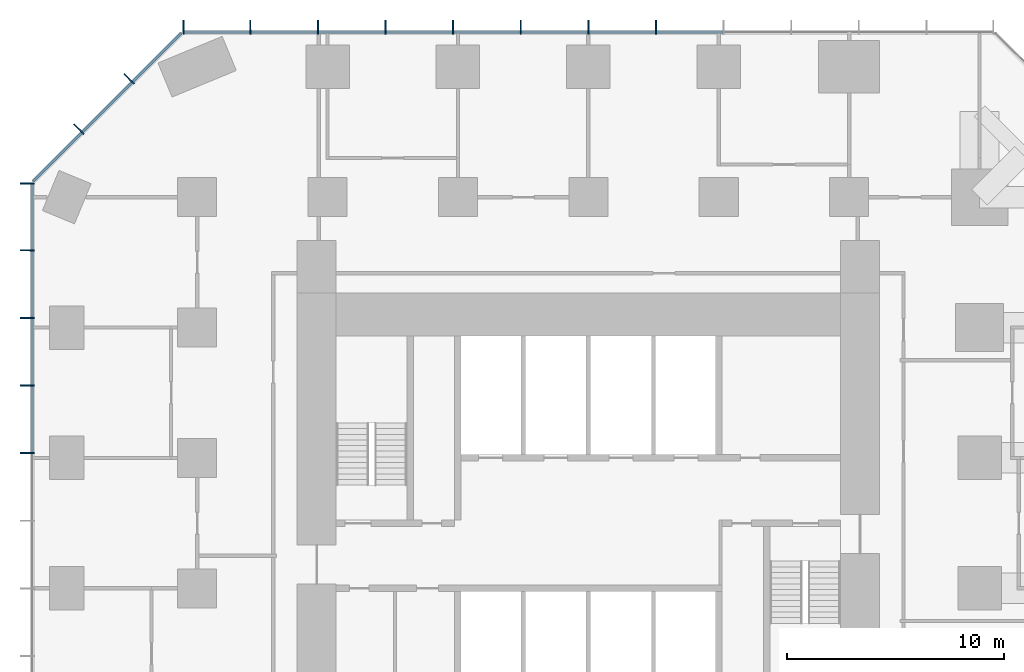
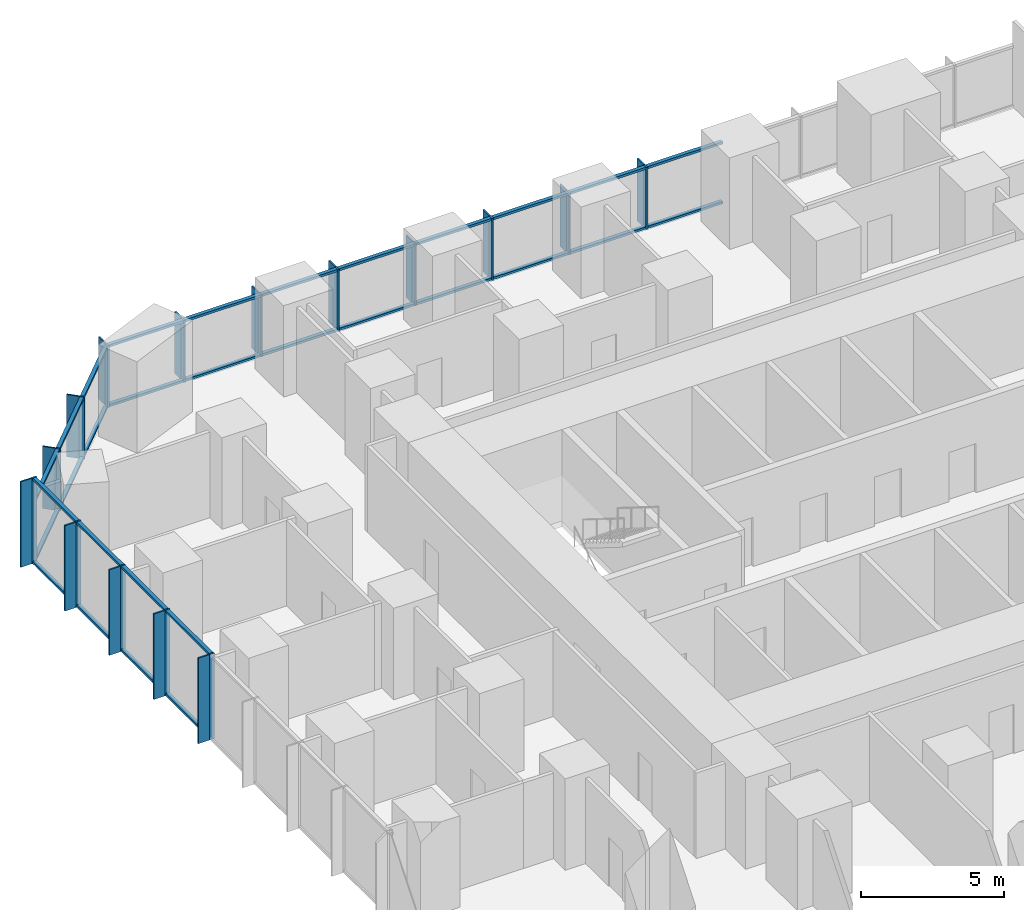
# One storey, part 6 of 13: 60 members, 3 elements without a shape of their own.
"""IFC4 building model written with IfcOpenShell, lengths in metres."""

from ifc_helpers import new_model, si_unit, direction, frame, origin, origin_2d, place, context, subcontext, project, spatial, rectangle, extrude, material, layer, layer_set, material_profile, profile_set, type_object, element, aggregate, save


model = new_model("IFC4")

# Units and contexts
model_context = context("Model", 3, precision=1e-05, world=origin(), true_north=direction((0.0, 1.0)))
body_context = subcontext(model_context, "Body", "Model", "MODEL_VIEW")
ifc_project = project(units=[si_unit("LENGTHUNIT", "METRE"), si_unit("AREAUNIT", "SQUARE_METRE"), si_unit("VOLUMEUNIT", "CUBIC_METRE"), si_unit("PLANEANGLEUNIT", "RADIAN"), si_unit("MASSUNIT", "GRAM", prefix="KILO")], contexts=[model_context])

# Site, building, storey
site_placement = place(None, origin())
site = spatial("IfcSite", under=ifc_project, at=site_placement, CompositionType="ELEMENT")
building_placement = place(site_placement, origin())
building = spatial("IfcBuilding", under=site, at=building_placement, Name="Highveld Stack Headquarters", CompositionType="ELEMENT")
storey_placement = place(building_placement, frame((0.0, 0.0, 61.10009765625)))
storey = spatial("IfcBuildingStorey", under=building, at=storey_placement, Name="L14", CompositionType="ELEMENT", Elevation=61.10009765625)

# Curtain wall, members
ifc_material_1 = material(Name="Aluminium bronze anodised", Category="aluminium")
ifc_layer_1 = layer(ifc_material_1, 0.199951171875)
ifc_layer_set_1 = layer_set([ifc_layer_1], Name="Aluminium bronze anodised")
curtain_wall_type_1 = type_object("IfcCurtainWallType", Name="CW1 TOWER UNITISED CURTAIN WALL", PredefinedType="NOTDEFINED", material=ifc_layer_set_1)
curtain_wall_1_placement = place(storey_placement, origin())
curtain_wall_1 = element("IfcCurtainWall", 1, at=curtain_wall_1_placement, inside=storey, type_object=curtain_wall_type_1, Name="Curtain wall CW1 L14 N", PredefinedType="NOTDEFINED")
ifc_material_2 = material(Name="Aluminium bronze anodised", Category="aluminium")
ifc_material_profile_1 = material_profile(ifc_material_2, rectangle(XDim=0.449951171875, YDim=0.06005859375, at=origin_2d()), Name="FIN 450x60")
ifc_profile_set_1 = profile_set([ifc_material_profile_1], Name="Aluminium bronze anodised")
member_type_1 = type_object("IfcMemberType", Name="CW1 BRONZE FIN 450x60", PredefinedType="USERDEFINED", material=ifc_profile_set_1)
member_1_placement = place(storey_placement, frame((9.110595703125, 25.925048828125, 0.0), z_axis=(0.0, 0.0, 1.0), x_axis=(0.0, -1.0, 0.0)))
member_1 = element("IfcMember", 2, at=member_1_placement, type_object=member_type_1, Name="CW1 fin L14 6", ObjectType="FIN", PredefinedType="USERDEFINED", context=body_context, shape_type="SweptSolid", body=[
    extrude(rectangle(XDim=0.449951171875, YDim=0.06005859375, at=origin_2d()), origin(), (0.0, 0.0, 1.0), 2.64990234375),
])
member_2_placement = place(storey_placement, frame((6.0, 25.925048828125, 0.0), z_axis=(0.0, 0.0, 1.0), x_axis=(0.0, -1.0, 0.0)))
member_2 = element("IfcMember", 3, at=member_2_placement, type_object=member_type_1, Name="CW1 fin L14 7", ObjectType="FIN", PredefinedType="USERDEFINED", context=body_context, shape_type="SweptSolid", body=[
    extrude(rectangle(XDim=0.449951171875, YDim=0.06005859375, at=origin_2d()), origin(), (0.0, 0.0, 1.0), 2.64990234375),
])
member_3_placement = place(storey_placement, frame((2.889404296875, 25.925048828125, 0.0), z_axis=(0.0, 0.0, 1.0), x_axis=(0.0, -1.0, 0.0)))
member_3 = element("IfcMember", 4, at=member_3_placement, type_object=member_type_1, Name="CW1 fin L14 8", ObjectType="FIN", PredefinedType="USERDEFINED", context=body_context, shape_type="SweptSolid", body=[
    extrude(rectangle(XDim=0.449951171875, YDim=0.06005859375, at=origin_2d()), origin(), (0.0, 0.0, 1.0), 2.64990234375),
])
member_4_placement = place(storey_placement, frame((-0.220947265625, 25.925048828125, 0.0), z_axis=(0.0, 0.0, 1.0), x_axis=(0.0, -1.0, 0.0)))
member_4 = element("IfcMember", 5, at=member_4_placement, type_object=member_type_1, Name="CW1 fin L14 9", ObjectType="FIN", PredefinedType="USERDEFINED", context=body_context, shape_type="SweptSolid", body=[
    extrude(rectangle(XDim=0.449951171875, YDim=0.06005859375, at=origin_2d()), origin(), (0.0, 0.0, 1.0), 2.64990234375),
])
member_5_placement = place(storey_placement, frame((-3.331298828125, 25.925048828125, 0.0), z_axis=(0.0, 0.0, 1.0), x_axis=(0.0, -1.0, 0.0)))
member_5 = element("IfcMember", 6, at=member_5_placement, type_object=member_type_1, Name="CW1 fin L14 10", ObjectType="FIN", PredefinedType="USERDEFINED", context=body_context, shape_type="SweptSolid", body=[
    extrude(rectangle(XDim=0.449951171875, YDim=0.06005859375, at=origin_2d()), origin(), (0.0, 0.0, 1.0), 2.64990234375),
])
member_6_placement = place(storey_placement, frame((-6.44189453125, 25.925048828125, 0.0), z_axis=(0.0, 0.0, 1.0), x_axis=(0.0, -1.0, 0.0)))
member_6 = element("IfcMember", 7, at=member_6_placement, type_object=member_type_1, Name="CW1 fin L14 11", ObjectType="FIN", PredefinedType="USERDEFINED", context=body_context, shape_type="SweptSolid", body=[
    extrude(rectangle(XDim=0.449951171875, YDim=0.06005859375, at=origin_2d()), origin(), (0.0, 0.0, 1.0), 2.64990234375),
])
member_7_placement = place(storey_placement, frame((-9.55224609375, 25.925048828125, 0.0), z_axis=(0.0, 0.0, 1.0), x_axis=(0.0, -1.0, 0.0)))
member_7 = element("IfcMember", 8, at=member_7_placement, type_object=member_type_1, Name="CW1 fin L14 12", ObjectType="FIN", PredefinedType="USERDEFINED", context=body_context, shape_type="SweptSolid", body=[
    extrude(rectangle(XDim=0.449951171875, YDim=0.06005859375, at=origin_2d()), origin(), (0.0, 0.0, 1.0), 2.64990234375),
])
member_8_placement = place(storey_placement, frame((-12.630126953125, 25.925048828125, 0.0), z_axis=(0.0, 0.0, 1.0), x_axis=(0.0, -1.0, 0.0)))
member_8 = element("IfcMember", 9, at=member_8_placement, type_object=member_type_1, Name="CW1 fin L14 13", ObjectType="FIN", PredefinedType="USERDEFINED", context=body_context, shape_type="SweptSolid", body=[
    extrude(rectangle(XDim=0.449951171875, YDim=0.06005859375, at=origin_2d()), origin(), (0.0, 0.0, 1.0), 2.64990234375),
])

curtain_wall_2_placement = place(storey_placement, origin())
curtain_wall_2 = element("IfcCurtainWall", 10, at=curtain_wall_2_placement, inside=storey, type_object=curtain_wall_type_1, Name="Curtain wall CW1 L14 W", PredefinedType="NOTDEFINED")
member_9_placement = place(storey_placement, frame((-19.925048828125, 18.630126953125, 0.0), z_axis=(0.0, 0.0, 1.0), x_axis=(1.0, 0.0, 0.0)))
member_9 = element("IfcMember", 11, at=member_9_placement, type_object=member_type_1, Name="CW1 fin L14 1", ObjectType="FIN", PredefinedType="USERDEFINED", context=body_context, shape_type="SweptSolid", body=[
    extrude(rectangle(XDim=0.449951171875, YDim=0.06005859375, at=origin_2d()), origin(), (0.0, 0.0, 1.0), 3.64990234375),
])
member_10_placement = place(storey_placement, frame((-19.925048828125, 15.55224609375, 0.0), z_axis=(0.0, 0.0, 1.0), x_axis=(1.0, 0.0, 0.0)))
member_10 = element("IfcMember", 12, at=member_10_placement, type_object=member_type_1, Name="CW1 fin L14 2", ObjectType="FIN", PredefinedType="USERDEFINED", context=body_context, shape_type="SweptSolid", body=[
    extrude(rectangle(XDim=0.449951171875, YDim=0.06005859375, at=origin_2d()), origin(), (0.0, 0.0, 1.0), 3.64990234375),
])
member_11_placement = place(storey_placement, frame((-19.925048828125, 12.44189453125, 0.0), z_axis=(0.0, 0.0, 1.0), x_axis=(1.0, 0.0, 0.0)))
member_11 = element("IfcMember", 13, at=member_11_placement, type_object=member_type_1, Name="CW1 fin L14 3", ObjectType="FIN", PredefinedType="USERDEFINED", context=body_context, shape_type="SweptSolid", body=[
    extrude(rectangle(XDim=0.449951171875, YDim=0.06005859375, at=origin_2d()), origin(), (0.0, 0.0, 1.0), 3.64990234375),
])
member_12_placement = place(storey_placement, frame((-19.925048828125, 9.331298828125, 0.0), z_axis=(0.0, 0.0, 1.0), x_axis=(1.0, 0.0, 0.0)))
member_12 = element("IfcMember", 14, at=member_12_placement, type_object=member_type_1, Name="CW1 fin L14 4", ObjectType="FIN", PredefinedType="USERDEFINED", context=body_context, shape_type="SweptSolid", body=[
    extrude(rectangle(XDim=0.449951171875, YDim=0.06005859375, at=origin_2d()), origin(), (0.0, 0.0, 1.0), 3.64990234375),
])
member_13_placement = place(storey_placement, frame((-19.925048828125, 6.220947265625, 0.0), z_axis=(0.0, 0.0, 1.0), x_axis=(1.0, 0.0, 0.0)))
member_13 = element("IfcMember", 15, at=member_13_placement, type_object=member_type_1, Name="CW1 fin L14 5", ObjectType="FIN", PredefinedType="USERDEFINED", context=body_context, shape_type="SweptSolid", body=[
    extrude(rectangle(XDim=0.449951171875, YDim=0.06005859375, at=origin_2d()), origin(), (0.0, 0.0, 1.0), 3.64990234375),
])

# Member
ifc_material_3 = material(Name="Aluminium bronze anodised", Category="aluminium")
ifc_material_profile_2 = material_profile(ifc_material_3, rectangle(XDim=0.199951171875, YDim=0.06494140625, at=origin_2d()), Name="CW1 MULLION 65x200")
ifc_profile_set_2 = profile_set([ifc_material_profile_2], Name="Aluminium bronze anodised")
member_type_2 = type_object("IfcMemberType", Name="CW1 MULLION 65x200", PredefinedType="MULLION", material=ifc_profile_set_2)
member_14_placement = place(storey_placement, frame((9.110595703125, 25.60009765625, 0.0), z_axis=(0.0, 0.0, 1.0), x_axis=(0.0, -1.0, 0.0)))
member_14 = element("IfcMember", 16, at=member_14_placement, type_object=member_type_2, Name="CW1 mullion L14 6", PredefinedType="MULLION", context=body_context, shape_type="SweptSolid", body=[
    extrude(rectangle(XDim=0.199951171875, YDim=0.06494140625, at=origin_2d()), origin(), (0.0, 0.0, 1.0), 2.64990234375),
])

member_15_placement = place(storey_placement, frame((6.0, 25.60009765625, 0.0), z_axis=(0.0, 0.0, 1.0), x_axis=(0.0, -1.0, 0.0)))
member_15 = element("IfcMember", 17, at=member_15_placement, type_object=member_type_2, Name="CW1 mullion L14 7", PredefinedType="MULLION", context=body_context, shape_type="SweptSolid", body=[
    extrude(rectangle(XDim=0.199951171875, YDim=0.06494140625, at=origin_2d()), origin(), (0.0, 0.0, 1.0), 2.64990234375),
])

member_16_placement = place(storey_placement, frame((2.889404296875, 25.60009765625, 0.0), z_axis=(0.0, 0.0, 1.0), x_axis=(0.0, -1.0, 0.0)))
member_16 = element("IfcMember", 18, at=member_16_placement, type_object=member_type_2, Name="CW1 mullion L14 8", PredefinedType="MULLION", context=body_context, shape_type="SweptSolid", body=[
    extrude(rectangle(XDim=0.199951171875, YDim=0.06494140625, at=origin_2d()), origin(), (0.0, 0.0, 1.0), 2.64990234375),
])

member_17_placement = place(storey_placement, frame((-0.220947265625, 25.60009765625, 0.0), z_axis=(0.0, 0.0, 1.0), x_axis=(0.0, -1.0, 0.0)))
member_17 = element("IfcMember", 19, at=member_17_placement, type_object=member_type_2, Name="CW1 mullion L14 9", PredefinedType="MULLION", context=body_context, shape_type="SweptSolid", body=[
    extrude(rectangle(XDim=0.199951171875, YDim=0.06494140625, at=origin_2d()), origin(), (0.0, 0.0, 1.0), 2.64990234375),
])

member_18_placement = place(storey_placement, frame((-3.331298828125, 25.60009765625, 0.0), z_axis=(0.0, 0.0, 1.0), x_axis=(0.0, -1.0, 0.0)))
member_18 = element("IfcMember", 20, at=member_18_placement, type_object=member_type_2, Name="CW1 mullion L14 10", PredefinedType="MULLION", context=body_context, shape_type="SweptSolid", body=[
    extrude(rectangle(XDim=0.199951171875, YDim=0.06494140625, at=origin_2d()), origin(), (0.0, 0.0, 1.0), 2.64990234375),
])

member_19_placement = place(storey_placement, frame((-6.44189453125, 25.60009765625, 0.0), z_axis=(0.0, 0.0, 1.0), x_axis=(0.0, -1.0, 0.0)))
member_19 = element("IfcMember", 21, at=member_19_placement, type_object=member_type_2, Name="CW1 mullion L14 11", PredefinedType="MULLION", context=body_context, shape_type="SweptSolid", body=[
    extrude(rectangle(XDim=0.199951171875, YDim=0.06494140625, at=origin_2d()), origin(), (0.0, 0.0, 1.0), 2.64990234375),
])

member_20_placement = place(storey_placement, frame((-9.55224609375, 25.60009765625, 0.0), z_axis=(0.0, 0.0, 1.0), x_axis=(0.0, -1.0, 0.0)))
member_20 = element("IfcMember", 22, at=member_20_placement, type_object=member_type_2, Name="CW1 mullion L14 12", PredefinedType="MULLION", context=body_context, shape_type="SweptSolid", body=[
    extrude(rectangle(XDim=0.199951171875, YDim=0.06494140625, at=origin_2d()), origin(), (0.0, 0.0, 1.0), 2.64990234375),
])

member_21_placement = place(storey_placement, frame((-12.630126953125, 25.60009765625, 0.0), z_axis=(0.0, 0.0, 1.0), x_axis=(0.0, -1.0, 0.0)))
member_21 = element("IfcMember", 23, at=member_21_placement, type_object=member_type_2, Name="CW1 mullion L14 13", PredefinedType="MULLION", context=body_context, shape_type="SweptSolid", body=[
    extrude(rectangle(XDim=0.199951171875, YDim=0.06494140625, at=origin_2d()), origin(), (0.0, 0.0, 1.0), 2.64990234375),
])

member_22_placement = place(storey_placement, frame((-19.60009765625, 18.630126953125, 0.0), z_axis=(0.0, 0.0, 1.0), x_axis=(1.0, 0.0, 0.0)))
member_22 = element("IfcMember", 24, at=member_22_placement, type_object=member_type_2, Name="CW1 mullion L14 1", PredefinedType="MULLION", context=body_context, shape_type="SweptSolid", body=[
    extrude(rectangle(XDim=0.199951171875, YDim=0.06494140625, at=origin_2d()), origin(), (0.0, 0.0, 1.0), 3.64990234375),
])

member_23_placement = place(storey_placement, frame((-19.60009765625, 15.55224609375, 0.0), z_axis=(0.0, 0.0, 1.0), x_axis=(1.0, 0.0, 0.0)))
member_23 = element("IfcMember", 25, at=member_23_placement, type_object=member_type_2, Name="CW1 mullion L14 2", PredefinedType="MULLION", context=body_context, shape_type="SweptSolid", body=[
    extrude(rectangle(XDim=0.199951171875, YDim=0.06494140625, at=origin_2d()), origin(), (0.0, 0.0, 1.0), 3.64990234375),
])

member_24_placement = place(storey_placement, frame((-19.60009765625, 12.44189453125, 0.0), z_axis=(0.0, 0.0, 1.0), x_axis=(1.0, 0.0, 0.0)))
member_24 = element("IfcMember", 26, at=member_24_placement, type_object=member_type_2, Name="CW1 mullion L14 3", PredefinedType="MULLION", context=body_context, shape_type="SweptSolid", body=[
    extrude(rectangle(XDim=0.199951171875, YDim=0.06494140625, at=origin_2d()), origin(), (0.0, 0.0, 1.0), 3.64990234375),
])

member_25_placement = place(storey_placement, frame((-19.60009765625, 9.331298828125, 0.0), z_axis=(0.0, 0.0, 1.0), x_axis=(1.0, 0.0, 0.0)))
member_25 = element("IfcMember", 27, at=member_25_placement, type_object=member_type_2, Name="CW1 mullion L14 4", PredefinedType="MULLION", context=body_context, shape_type="SweptSolid", body=[
    extrude(rectangle(XDim=0.199951171875, YDim=0.06494140625, at=origin_2d()), origin(), (0.0, 0.0, 1.0), 3.64990234375),
])

member_26_placement = place(storey_placement, frame((-19.60009765625, 6.220947265625, 0.0), z_axis=(0.0, 0.0, 1.0), x_axis=(1.0, 0.0, 0.0)))
member_26 = element("IfcMember", 28, at=member_26_placement, type_object=member_type_2, Name="CW1 mullion L14 5", PredefinedType="MULLION", context=body_context, shape_type="SweptSolid", body=[
    extrude(rectangle(XDim=0.199951171875, YDim=0.06494140625, at=origin_2d()), origin(), (0.0, 0.0, 1.0), 3.64990234375),
])

ifc_material_4 = material(Name="Aluminium bronze anodised", Category="aluminium")
ifc_material_profile_3 = material_profile(ifc_material_4, rectangle(XDim=0.14990234375, YDim=0.10009765625, at=origin_2d()), Name="CW1 TRANSOM 150x100")
ifc_profile_set_3 = profile_set([ifc_material_profile_3], Name="Aluminium bronze anodised")
member_type_3 = type_object("IfcMemberType", Name="CW1 STACK TRANSOM 150x100", PredefinedType="USERDEFINED", material=ifc_profile_set_3)
member_27_placement = place(storey_placement, frame((12.1884765625, 25.60009765625, 0.0498046875), z_axis=(-1.0, 0.0, 0.0), x_axis=(0.0, -1.0, 0.0)))
member_27 = element("IfcMember", 29, at=member_27_placement, type_object=member_type_3, Name="CW1 transom L14 5.1", ObjectType="TRANSOM", PredefinedType="USERDEFINED", context=body_context, shape_type="SweptSolid", body=[
    extrude(rectangle(XDim=0.14990234375, YDim=0.10009765625, at=origin_2d()), origin(), (0.0, 0.0, 1.0), 3.04541015625),
])

member_28_placement = place(storey_placement, frame((12.1884765625, 25.60009765625, 2.599853515625), z_axis=(-1.0, 0.0, 0.0), x_axis=(0.0, -1.0, 0.0)))
member_28 = element("IfcMember", 30, at=member_28_placement, type_object=member_type_3, Name="CW1 transom L14 5.2", ObjectType="TRANSOM", PredefinedType="USERDEFINED", context=body_context, shape_type="SweptSolid", body=[
    extrude(rectangle(XDim=0.14990234375, YDim=0.10009765625, at=origin_2d()), origin(), (0.0, 0.0, 1.0), 3.04541015625),
])

member_29_placement = place(storey_placement, frame((9.077880859375, 25.60009765625, 0.0498046875), z_axis=(-1.0, 0.0, 0.0), x_axis=(0.0, -1.0, 0.0)))
member_29 = element("IfcMember", 31, at=member_29_placement, type_object=member_type_3, Name="CW1 transom L14 6.1", ObjectType="TRANSOM", PredefinedType="USERDEFINED", context=body_context, shape_type="SweptSolid", body=[
    extrude(rectangle(XDim=0.14990234375, YDim=0.10009765625, at=origin_2d()), origin(), (0.0, 0.0, 1.0), 3.04541015625),
])

member_30_placement = place(storey_placement, frame((9.077880859375, 25.60009765625, 2.599853515625), z_axis=(-1.0, 0.0, 0.0), x_axis=(0.0, -1.0, 0.0)))
member_30 = element("IfcMember", 32, at=member_30_placement, type_object=member_type_3, Name="CW1 transom L14 6.2", ObjectType="TRANSOM", PredefinedType="USERDEFINED", context=body_context, shape_type="SweptSolid", body=[
    extrude(rectangle(XDim=0.14990234375, YDim=0.10009765625, at=origin_2d()), origin(), (0.0, 0.0, 1.0), 3.04541015625),
])

member_31_placement = place(storey_placement, frame((5.967529296875, 25.60009765625, 0.0498046875), z_axis=(-1.0, 0.0, 0.0), x_axis=(0.0, -1.0, 0.0)))
member_31 = element("IfcMember", 33, at=member_31_placement, type_object=member_type_3, Name="CW1 transom L14 7.1", ObjectType="TRANSOM", PredefinedType="USERDEFINED", context=body_context, shape_type="SweptSolid", body=[
    extrude(rectangle(XDim=0.14990234375, YDim=0.10009765625, at=origin_2d()), origin(), (0.0, 0.0, 1.0), 3.04541015625),
])

member_32_placement = place(storey_placement, frame((5.967529296875, 25.60009765625, 2.599853515625), z_axis=(-1.0, 0.0, 0.0), x_axis=(0.0, -1.0, 0.0)))
member_32 = element("IfcMember", 34, at=member_32_placement, type_object=member_type_3, Name="CW1 transom L14 7.2", ObjectType="TRANSOM", PredefinedType="USERDEFINED", context=body_context, shape_type="SweptSolid", body=[
    extrude(rectangle(XDim=0.14990234375, YDim=0.10009765625, at=origin_2d()), origin(), (0.0, 0.0, 1.0), 3.04541015625),
])

member_33_placement = place(storey_placement, frame((2.857177734375, 25.60009765625, 0.0498046875), z_axis=(-1.0, 0.0, 0.0), x_axis=(0.0, -1.0, 0.0)))
member_33 = element("IfcMember", 35, at=member_33_placement, type_object=member_type_3, Name="CW1 transom L14 8.1", ObjectType="TRANSOM", PredefinedType="USERDEFINED", context=body_context, shape_type="SweptSolid", body=[
    extrude(rectangle(XDim=0.14990234375, YDim=0.10009765625, at=origin_2d()), origin(), (0.0, 0.0, 1.0), 3.045654296875),
])

member_34_placement = place(storey_placement, frame((2.857177734375, 25.60009765625, 2.599853515625), z_axis=(-1.0, 0.0, 0.0), x_axis=(0.0, -1.0, 0.0)))
member_34 = element("IfcMember", 36, at=member_34_placement, type_object=member_type_3, Name="CW1 transom L14 8.2", ObjectType="TRANSOM", PredefinedType="USERDEFINED", context=body_context, shape_type="SweptSolid", body=[
    extrude(rectangle(XDim=0.14990234375, YDim=0.10009765625, at=origin_2d()), origin(), (0.0, 0.0, 1.0), 3.045654296875),
])

member_35_placement = place(storey_placement, frame((-0.25341796875, 25.60009765625, 0.0498046875), z_axis=(-1.0, 0.0, 0.0), x_axis=(0.0, -1.0, 0.0)))
member_35 = element("IfcMember", 37, at=member_35_placement, type_object=member_type_3, Name="CW1 transom L14 9.1", ObjectType="TRANSOM", PredefinedType="USERDEFINED", context=body_context, shape_type="SweptSolid", body=[
    extrude(rectangle(XDim=0.14990234375, YDim=0.10009765625, at=origin_2d()), origin(), (0.0, 0.0, 1.0), 3.04541015625),
])

member_36_placement = place(storey_placement, frame((-0.25341796875, 25.60009765625, 2.599853515625), z_axis=(-1.0, 0.0, 0.0), x_axis=(0.0, -1.0, 0.0)))
member_36 = element("IfcMember", 38, at=member_36_placement, type_object=member_type_3, Name="CW1 transom L14 9.2", ObjectType="TRANSOM", PredefinedType="USERDEFINED", context=body_context, shape_type="SweptSolid", body=[
    extrude(rectangle(XDim=0.14990234375, YDim=0.10009765625, at=origin_2d()), origin(), (0.0, 0.0, 1.0), 3.04541015625),
])

member_37_placement = place(storey_placement, frame((-3.36376953125, 25.60009765625, 0.0498046875), z_axis=(-1.0, 0.0, 0.0), x_axis=(0.0, -1.0, 0.0)))
member_37 = element("IfcMember", 39, at=member_37_placement, type_object=member_type_3, Name="CW1 transom L14 10.1", ObjectType="TRANSOM", PredefinedType="USERDEFINED", context=body_context, shape_type="SweptSolid", body=[
    extrude(rectangle(XDim=0.14990234375, YDim=0.10009765625, at=origin_2d()), origin(), (0.0, 0.0, 1.0), 3.04541015625),
])

member_38_placement = place(storey_placement, frame((-3.36376953125, 25.60009765625, 2.599853515625), z_axis=(-1.0, 0.0, 0.0), x_axis=(0.0, -1.0, 0.0)))
member_38 = element("IfcMember", 40, at=member_38_placement, type_object=member_type_3, Name="CW1 transom L14 10.2", ObjectType="TRANSOM", PredefinedType="USERDEFINED", context=body_context, shape_type="SweptSolid", body=[
    extrude(rectangle(XDim=0.14990234375, YDim=0.10009765625, at=origin_2d()), origin(), (0.0, 0.0, 1.0), 3.04541015625),
])

member_39_placement = place(storey_placement, frame((-6.474365234375, 25.60009765625, 0.0498046875), z_axis=(-1.0, 0.0, 0.0), x_axis=(0.0, -1.0, 0.0)))
member_39 = element("IfcMember", 41, at=member_39_placement, type_object=member_type_3, Name="CW1 transom L14 11.1", ObjectType="TRANSOM", PredefinedType="USERDEFINED", context=body_context, shape_type="SweptSolid", body=[
    extrude(rectangle(XDim=0.14990234375, YDim=0.10009765625, at=origin_2d()), origin(), (0.0, 0.0, 1.0), 3.04541015625),
])

member_40_placement = place(storey_placement, frame((-6.474365234375, 25.60009765625, 2.599853515625), z_axis=(-1.0, 0.0, 0.0), x_axis=(0.0, -1.0, 0.0)))
member_40 = element("IfcMember", 42, at=member_40_placement, type_object=member_type_3, Name="CW1 transom L14 11.2", ObjectType="TRANSOM", PredefinedType="USERDEFINED", context=body_context, shape_type="SweptSolid", body=[
    extrude(rectangle(XDim=0.14990234375, YDim=0.10009765625, at=origin_2d()), origin(), (0.0, 0.0, 1.0), 3.04541015625),
])

member_41_placement = place(storey_placement, frame((-9.584716796875, 25.60009765625, 0.0498046875), z_axis=(-1.0, 0.0, 0.0), x_axis=(0.0, -1.0, 0.0)))
member_41 = element("IfcMember", 43, at=member_41_placement, type_object=member_type_3, Name="CW1 transom L14 12.1", ObjectType="TRANSOM", PredefinedType="USERDEFINED", context=body_context, shape_type="SweptSolid", body=[
    extrude(rectangle(XDim=0.14990234375, YDim=0.10009765625, at=origin_2d()), origin(), (0.0, 0.0, 1.0), 3.012939453125),
])

member_42_placement = place(storey_placement, frame((-9.584716796875, 25.60009765625, 2.599853515625), z_axis=(-1.0, 0.0, 0.0), x_axis=(0.0, -1.0, 0.0)))
member_42 = element("IfcMember", 44, at=member_42_placement, type_object=member_type_3, Name="CW1 transom L14 12.2", ObjectType="TRANSOM", PredefinedType="USERDEFINED", context=body_context, shape_type="SweptSolid", body=[
    extrude(rectangle(XDim=0.14990234375, YDim=0.10009765625, at=origin_2d()), origin(), (0.0, 0.0, 1.0), 3.012939453125),
])

aggregate(curtain_wall_1, [member_14, member_1, member_15, member_2, member_16, member_3, member_17, member_4, member_18, member_5, member_19, member_6, member_20, member_7, member_21, member_8, member_27, member_28, member_29, member_30, member_31, member_32, member_33, member_34, member_35, member_36, member_37, member_38, member_39, member_40, member_41, member_42])

member_43_placement = place(storey_placement, frame((-19.60009765625, 18.59765625, 0.0498046875), z_axis=(0.0, -1.0, 0.0), x_axis=(1.0, 0.0, 0.0)))
member_43 = element("IfcMember", 45, at=member_43_placement, type_object=member_type_3, Name="CW1 transom L14 1.1", ObjectType="TRANSOM", PredefinedType="USERDEFINED", context=body_context, shape_type="SweptSolid", body=[
    extrude(rectangle(XDim=0.14990234375, YDim=0.10009765625, at=origin_2d()), origin(), (0.0, 0.0, 1.0), 3.012939453125),
])

member_44_placement = place(storey_placement, frame((-19.60009765625, 18.59765625, 3.599853515625), z_axis=(0.0, -1.0, 0.0), x_axis=(1.0, 0.0, 0.0)))
member_44 = element("IfcMember", 46, at=member_44_placement, type_object=member_type_3, Name="CW1 transom L14 1.2", ObjectType="TRANSOM", PredefinedType="USERDEFINED", context=body_context, shape_type="SweptSolid", body=[
    extrude(rectangle(XDim=0.14990234375, YDim=0.10009765625, at=origin_2d()), origin(), (0.0, 0.0, 1.0), 3.012939453125),
])

member_45_placement = place(storey_placement, frame((-19.60009765625, 15.519775390625, 0.0498046875), z_axis=(0.0, -1.0, 0.0), x_axis=(1.0, 0.0, 0.0)))
member_45 = element("IfcMember", 47, at=member_45_placement, type_object=member_type_3, Name="CW1 transom L14 2.1", ObjectType="TRANSOM", PredefinedType="USERDEFINED", context=body_context, shape_type="SweptSolid", body=[
    extrude(rectangle(XDim=0.14990234375, YDim=0.10009765625, at=origin_2d()), origin(), (0.0, 0.0, 1.0), 3.04541015625),
])

member_46_placement = place(storey_placement, frame((-19.60009765625, 15.519775390625, 3.599853515625), z_axis=(0.0, -1.0, 0.0), x_axis=(1.0, 0.0, 0.0)))
member_46 = element("IfcMember", 48, at=member_46_placement, type_object=member_type_3, Name="CW1 transom L14 2.2", ObjectType="TRANSOM", PredefinedType="USERDEFINED", context=body_context, shape_type="SweptSolid", body=[
    extrude(rectangle(XDim=0.14990234375, YDim=0.10009765625, at=origin_2d()), origin(), (0.0, 0.0, 1.0), 3.04541015625),
])

member_47_placement = place(storey_placement, frame((-19.60009765625, 12.4091796875, 0.0498046875), z_axis=(0.0, -1.0, 0.0), x_axis=(1.0, 0.0, 0.0)))
member_47 = element("IfcMember", 49, at=member_47_placement, type_object=member_type_3, Name="CW1 transom L14 3.1", ObjectType="TRANSOM", PredefinedType="USERDEFINED", context=body_context, shape_type="SweptSolid", body=[
    extrude(rectangle(XDim=0.14990234375, YDim=0.10009765625, at=origin_2d()), origin(), (0.0, 0.0, 1.0), 3.045166015625),
])

member_48_placement = place(storey_placement, frame((-19.60009765625, 12.4091796875, 3.599853515625), z_axis=(0.0, -1.0, 0.0), x_axis=(1.0, 0.0, 0.0)))
member_48 = element("IfcMember", 50, at=member_48_placement, type_object=member_type_3, Name="CW1 transom L14 3.2", ObjectType="TRANSOM", PredefinedType="USERDEFINED", context=body_context, shape_type="SweptSolid", body=[
    extrude(rectangle(XDim=0.14990234375, YDim=0.10009765625, at=origin_2d()), origin(), (0.0, 0.0, 1.0), 3.045166015625),
])

member_49_placement = place(storey_placement, frame((-19.60009765625, 9.298828125, 0.0498046875), z_axis=(0.0, -1.0, 0.0), x_axis=(1.0, 0.0, 0.0)))
member_49 = element("IfcMember", 51, at=member_49_placement, type_object=member_type_3, Name="CW1 transom L14 4.1", ObjectType="TRANSOM", PredefinedType="USERDEFINED", context=body_context, shape_type="SweptSolid", body=[
    extrude(rectangle(XDim=0.14990234375, YDim=0.10009765625, at=origin_2d()), origin(), (0.0, 0.0, 1.0), 3.04541015625),
])

member_50_placement = place(storey_placement, frame((-19.60009765625, 9.298828125, 3.599853515625), z_axis=(0.0, -1.0, 0.0), x_axis=(1.0, 0.0, 0.0)))
member_50 = element("IfcMember", 52, at=member_50_placement, type_object=member_type_3, Name="CW1 transom L14 4.2", ObjectType="TRANSOM", PredefinedType="USERDEFINED", context=body_context, shape_type="SweptSolid", body=[
    extrude(rectangle(XDim=0.14990234375, YDim=0.10009765625, at=origin_2d()), origin(), (0.0, 0.0, 1.0), 3.04541015625),
])

aggregate(curtain_wall_2, [member_22, member_9, member_23, member_10, member_24, member_11, member_25, member_12, member_26, member_13, member_43, member_44, member_45, member_46, member_47, member_48, member_49, member_50])

# Curtain wall, members
ifc_material_5 = material(Name="Aluminium bronze anodised", Category="aluminium")
ifc_layer_2 = layer(ifc_material_5, 0.199951171875)
ifc_layer_set_2 = layer_set([ifc_layer_2], Name="Aluminium bronze anodised")
curtain_wall_type_2 = type_object("IfcCurtainWallType", Name="CW2 TOWER CHAMFER UNITISED CURTAIN WALL", PredefinedType="NOTDEFINED", material=ifc_layer_set_2)
curtain_wall_3_placement = place(storey_placement, origin())
curtain_wall_3 = element("IfcCurtainWall", 53, at=curtain_wall_3_placement, inside=storey, type_object=curtain_wall_type_2, Name="Curtain wall CW2 L14 NW", PredefinedType="NOTDEFINED")
ifc_material_6 = material(Name="Aluminium bronze anodised", Category="aluminium")
ifc_material_profile_4 = material_profile(ifc_material_6, rectangle(XDim=0.449951171875, YDim=0.06005859375, at=origin_2d()), Name="FIN 450x60")
ifc_profile_set_4 = profile_set([ifc_material_profile_4], Name="Aluminium bronze anodised")
member_type_4 = type_object("IfcMemberType", Name="CW2 BRONZE FIN 450x60", PredefinedType="USERDEFINED", material=ifc_profile_set_4)
member_51_placement = place(storey_placement, frame((-15.204833984375, 23.517333984375, 0.0), z_axis=(0.0, 0.0, 1.0), x_axis=(0.707106781187, -0.707106781187, 0.0)))
member_51 = element("IfcMember", 54, at=member_51_placement, type_object=member_type_4, Name="CW2 fin L14 1", ObjectType="FIN", PredefinedType="USERDEFINED", context=body_context, shape_type="SweptSolid", body=[
    extrude(rectangle(XDim=0.449951171875, YDim=0.06005859375, at=origin_2d()), origin(), (0.0, 0.0, 1.0), 2.64990234375),
])
member_52_placement = place(storey_placement, frame((-17.517333984375, 21.204833984375, 0.0), z_axis=(0.0, 0.0, 1.0), x_axis=(0.707106781187, -0.707106781187, 0.0)))
member_52 = element("IfcMember", 55, at=member_52_placement, type_object=member_type_4, Name="CW2 fin L14 2", ObjectType="FIN", PredefinedType="USERDEFINED", context=body_context, shape_type="SweptSolid", body=[
    extrude(rectangle(XDim=0.449951171875, YDim=0.06005859375, at=origin_2d()), origin(), (0.0, 0.0, 1.0), 2.64990234375),
])
ifc_material_7 = material(Name="Aluminium bronze anodised", Category="aluminium")
ifc_material_profile_5 = material_profile(ifc_material_7, rectangle(XDim=0.199951171875, YDim=0.06494140625, at=origin_2d()), Name="CW2 MULLION 65x200")
ifc_profile_set_5 = profile_set([ifc_material_profile_5], Name="Aluminium bronze anodised")
member_type_5 = type_object("IfcMemberType", Name="CW2 MULLION 65x200", PredefinedType="MULLION", material=ifc_profile_set_5)
member_53_placement = place(storey_placement, frame((-14.97509765625, 23.28759765625, 0.0), z_axis=(0.0, 0.0, 1.0), x_axis=(0.707106781187, -0.707106781187, 0.0)))
member_53 = element("IfcMember", 56, at=member_53_placement, type_object=member_type_5, Name="CW2 mullion L14 1", PredefinedType="MULLION", context=body_context, shape_type="SweptSolid", body=[
    extrude(rectangle(XDim=0.199951171875, YDim=0.06494140625, at=origin_2d()), origin(), (0.0, 0.0, 1.0), 2.64990234375),
])
member_54_placement = place(storey_placement, frame((-17.28759765625, 20.97509765625, 0.0), z_axis=(0.0, 0.0, 1.0), x_axis=(0.707106781187, -0.707106781187, 0.0)))
member_54 = element("IfcMember", 57, at=member_54_placement, type_object=member_type_5, Name="CW2 mullion L14 2", PredefinedType="MULLION", context=body_context, shape_type="SweptSolid", body=[
    extrude(rectangle(XDim=0.199951171875, YDim=0.06494140625, at=origin_2d()), origin(), (0.0, 0.0, 1.0), 2.64990234375),
])
ifc_material_8 = material(Name="Aluminium bronze anodised", Category="aluminium")
ifc_material_profile_6 = material_profile(ifc_material_8, rectangle(XDim=0.14990234375, YDim=0.10009765625, at=origin_2d()), Name="CW2 TRANSOM 150x100")
ifc_profile_set_6 = profile_set([ifc_material_profile_6], Name="Aluminium bronze anodised")
member_type_6 = type_object("IfcMemberType", Name="CW2 STACK TRANSOM 150x100", PredefinedType="USERDEFINED", material=ifc_profile_set_6)
member_55_placement = place(storey_placement, frame((-12.7333984375, 25.529296875, 0.0498046875), z_axis=(-0.707106781187, -0.707106781187, 0.0), x_axis=(0.707106781187, -0.707106781187, 0.0)))
member_55 = element("IfcMember", 58, at=member_55_placement, type_object=member_type_6, Name="CW2 transom L14 1.1", ObjectType="TRANSOM", PredefinedType="USERDEFINED", context=body_context, shape_type="SweptSolid", body=[
    extrude(rectangle(XDim=0.14990234375, YDim=0.10009765625, at=origin_2d()), origin(), (0.0, 0.0, 1.0), 3.1376953125),
])
member_56_placement = place(storey_placement, frame((-12.7333984375, 25.529296875, 2.599853515625), z_axis=(-0.707106781187, -0.707106781187, 0.0), x_axis=(0.707106781187, -0.707106781187, 0.0)))
member_56 = element("IfcMember", 59, at=member_56_placement, type_object=member_type_6, Name="CW2 transom L14 1.2", ObjectType="TRANSOM", PredefinedType="USERDEFINED", context=body_context, shape_type="SweptSolid", body=[
    extrude(rectangle(XDim=0.14990234375, YDim=0.10009765625, at=origin_2d()), origin(), (0.0, 0.0, 1.0), 3.1376953125),
])
member_57_placement = place(storey_placement, frame((-14.998046875, 23.2646484375, 0.0498046875), z_axis=(-0.707106781187, -0.707106781187, 0.0), x_axis=(0.707106781187, -0.707106781187, 0.0)))
member_57 = element("IfcMember", 60, at=member_57_placement, type_object=member_type_6, Name="CW2 transom L14 2.1", ObjectType="TRANSOM", PredefinedType="USERDEFINED", context=body_context, shape_type="SweptSolid", body=[
    extrude(rectangle(XDim=0.14990234375, YDim=0.10009765625, at=origin_2d()), origin(), (0.0, 0.0, 1.0), 3.20556640625),
])
member_58_placement = place(storey_placement, frame((-14.998046875, 23.2646484375, 2.599853515625), z_axis=(-0.707106781187, -0.707106781187, 0.0), x_axis=(0.707106781187, -0.707106781187, 0.0)))
member_58 = element("IfcMember", 61, at=member_58_placement, type_object=member_type_6, Name="CW2 transom L14 2.2", ObjectType="TRANSOM", PredefinedType="USERDEFINED", context=body_context, shape_type="SweptSolid", body=[
    extrude(rectangle(XDim=0.14990234375, YDim=0.10009765625, at=origin_2d()), origin(), (0.0, 0.0, 1.0), 3.20556640625),
])
member_59_placement = place(storey_placement, frame((-17.310546875, 20.9521484375, 0.0498046875), z_axis=(-0.707106781187, -0.707106781187, 0.0), x_axis=(0.707106781187, -0.707106781187, 0.0)))
member_59 = element("IfcMember", 62, at=member_59_placement, type_object=member_type_6, Name="CW2 transom L14 3.1", ObjectType="TRANSOM", PredefinedType="USERDEFINED", context=body_context, shape_type="SweptSolid", body=[
    extrude(rectangle(XDim=0.14990234375, YDim=0.10009765625, at=origin_2d()), origin(), (0.0, 0.0, 1.0), 3.1376953125),
])
member_60_placement = place(storey_placement, frame((-17.310546875, 20.9521484375, 2.599853515625), z_axis=(-0.707106781187, -0.707106781187, 0.0), x_axis=(0.707106781187, -0.707106781187, 0.0)))
member_60 = element("IfcMember", 63, at=member_60_placement, type_object=member_type_6, Name="CW2 transom L14 3.2", ObjectType="TRANSOM", PredefinedType="USERDEFINED", context=body_context, shape_type="SweptSolid", body=[
    extrude(rectangle(XDim=0.14990234375, YDim=0.10009765625, at=origin_2d()), origin(), (0.0, 0.0, 1.0), 3.1376953125),
])
aggregate(curtain_wall_3, [member_53, member_51, member_54, member_52, member_55, member_56, member_57, member_58, member_59, member_60])

save(model, "model.ifc")
